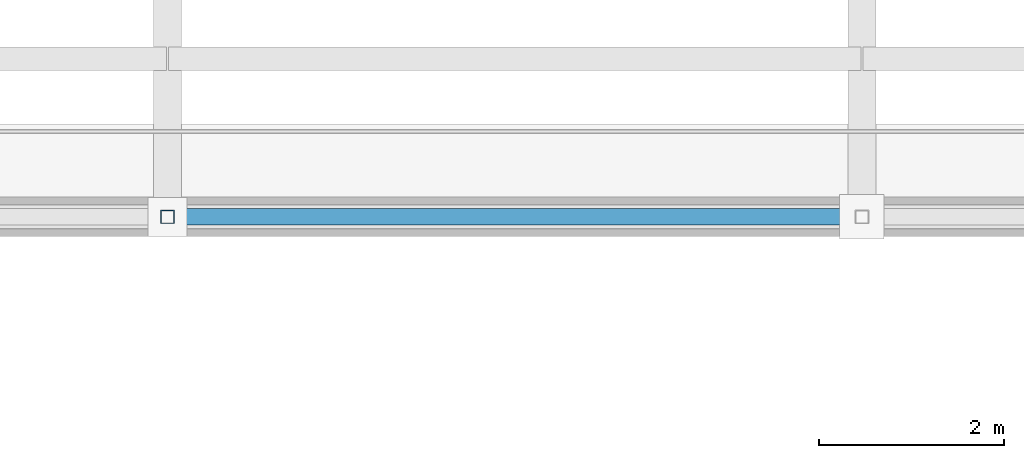
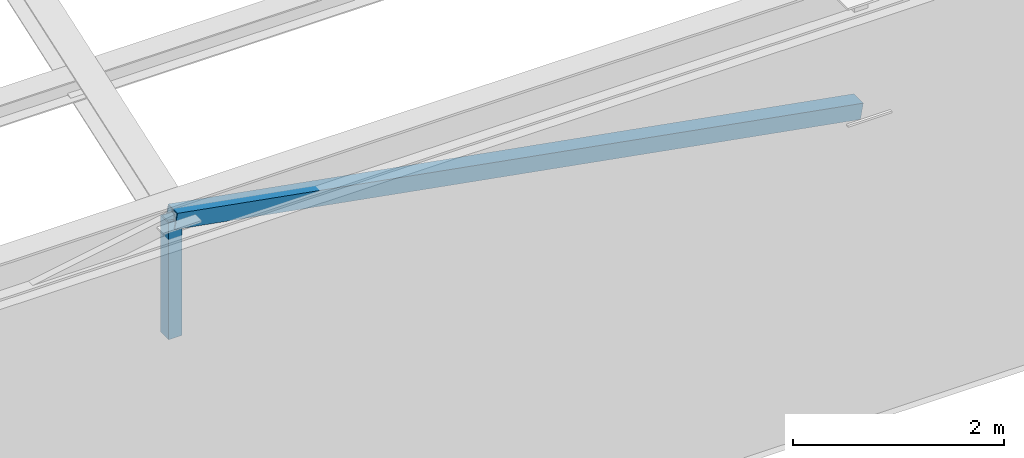
# One storey, part 18 of 76: 2 members.
"""IFC4 building model written with IfcOpenShell, lengths in metres."""

from ifc_helpers import new_model, si_unit, direction, frame, origin, origin_2d, place, context, subcontext, project, spatial, hollow_rectangle, extrude, material, material_profile, profile_set, type_object, element, save


model = new_model("IFC4")

# Units and contexts
model_context = context("Model", 3, precision=1e-05, world=origin(), true_north=direction((0.0, 1.0)))
body_context = subcontext(model_context, "Body", "Model", "MODEL_VIEW")
ifc_project = project(units=[si_unit("LENGTHUNIT", "METRE"), si_unit("AREAUNIT", "SQUARE_METRE"), si_unit("VOLUMEUNIT", "CUBIC_METRE"), si_unit("PLANEANGLEUNIT", "RADIAN"), si_unit("MASSUNIT", "GRAM", prefix="KILO")], contexts=[model_context])

# Site, building, storey
site_placement = place(None, origin())
site = spatial("IfcSite", under=ifc_project, at=site_placement, CompositionType="ELEMENT")
building_placement = place(site_placement, origin())
building = spatial("IfcBuilding", under=site, at=building_placement, Name="Cinchona Park Media Centre", CompositionType="ELEMENT")
storey_placement = place(building_placement, frame((0.0, 0.0, 15.60009765625)))
storey = spatial("IfcBuildingStorey", under=building, at=storey_placement, Name="L03", CompositionType="ELEMENT", Elevation=15.60009765625)

# Members
ifc_material_1 = material(Name="Steel S355", Category="steel")
ifc_material_profile_1 = material_profile(ifc_material_1, hollow_rectangle(XDim=0.14990234375, YDim=0.14990234375, WallThickness=0.010009765625, at=origin_2d()), Name="150X150X10SHS")
ifc_profile_set_1 = profile_set([ifc_material_profile_1], Name="Steel S355")
member_type_1 = type_object("IfcMemberType", Name="MEMBER-TS03-SHS150X150X10", PredefinedType="STRUT", material=ifc_profile_set_1)
member_1_placement = place(storey_placement, frame((22.889892578125, 102.0, 3.449951171875), z_axis=(0.0, 0.0, 1.0), x_axis=(1.0, 0.0, 0.0)))
element("IfcMember", 1, at=member_1_placement, inside=storey, type_object=member_type_1, Name="ROOF TRUSS Vertical Strut TN1", PredefinedType="STRUT", context=body_context, shape_type="SweptSolid", body=[
    extrude(hollow_rectangle(XDim=0.14990234375, YDim=0.14990234375, WallThickness=0.010009765625, at=origin_2d()), origin(), (0.0, 0.0, 1.0), 1.349853515625),
])
ifc_material_2 = material(Name="Steel S355", Category="steel")
ifc_material_profile_2 = material_profile(ifc_material_2, hollow_rectangle(XDim=0.179931640625, YDim=0.179931640625, WallThickness=0.012451171875, at=origin_2d()), Name="180X180X12.5SHS")
ifc_profile_set_2 = profile_set([ifc_material_profile_2], Name="Steel S355")
member_type_2 = type_object("IfcMemberType", Name="MEMBER-TS04-SHS180X180X12.5", PredefinedType="STRUT", material=ifc_profile_set_2)
member_2_placement = place(storey_placement, frame((22.889892578125, 102.0, 4.7998046875), z_axis=(0.984145381083, 0.0, -0.177363662832), x_axis=(0.0, 1.0, 0.0)))
element("IfcMember", 2, at=member_2_placement, inside=storey, type_object=member_type_2, Name="ROOF TRUSS Web Diagonal TN2", PredefinedType="STRUT", context=body_context, shape_type="SweptSolid", body=[
    extrude(hollow_rectangle(XDim=0.179931640625, YDim=0.179931640625, WallThickness=0.012451171875, at=origin_2d()), origin(), (0.0, 0.0, 1.0), 7.610595703125),
])

save(model, "model.ifc")
